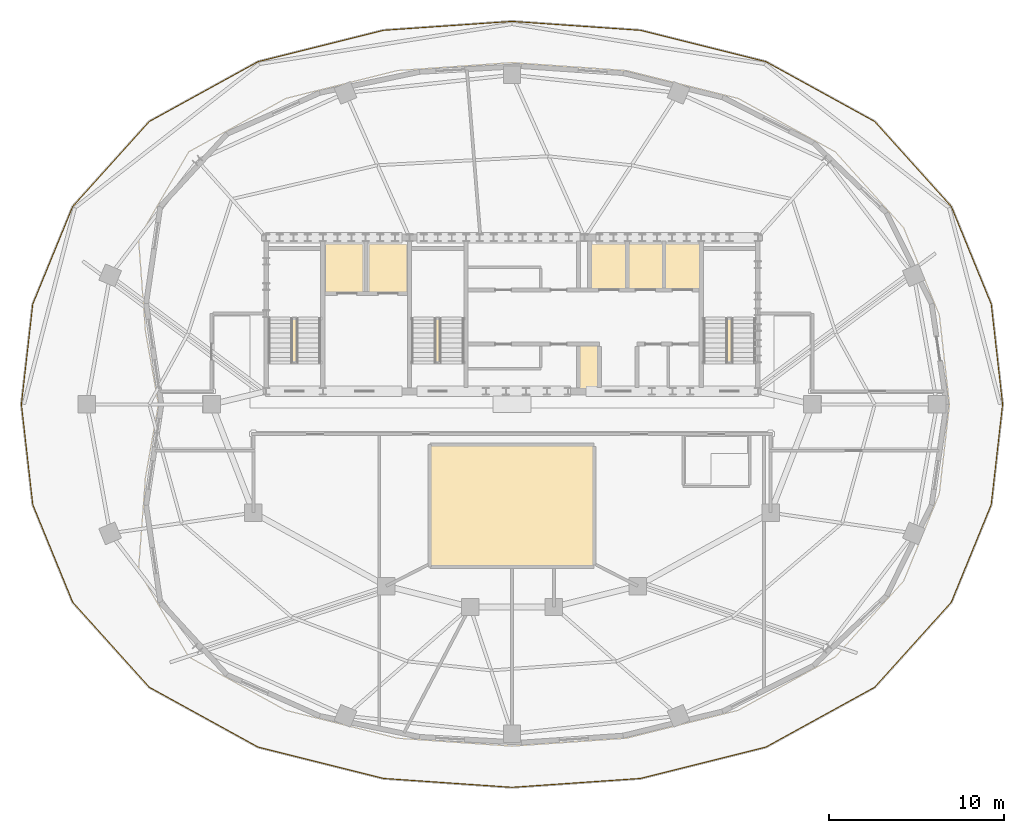
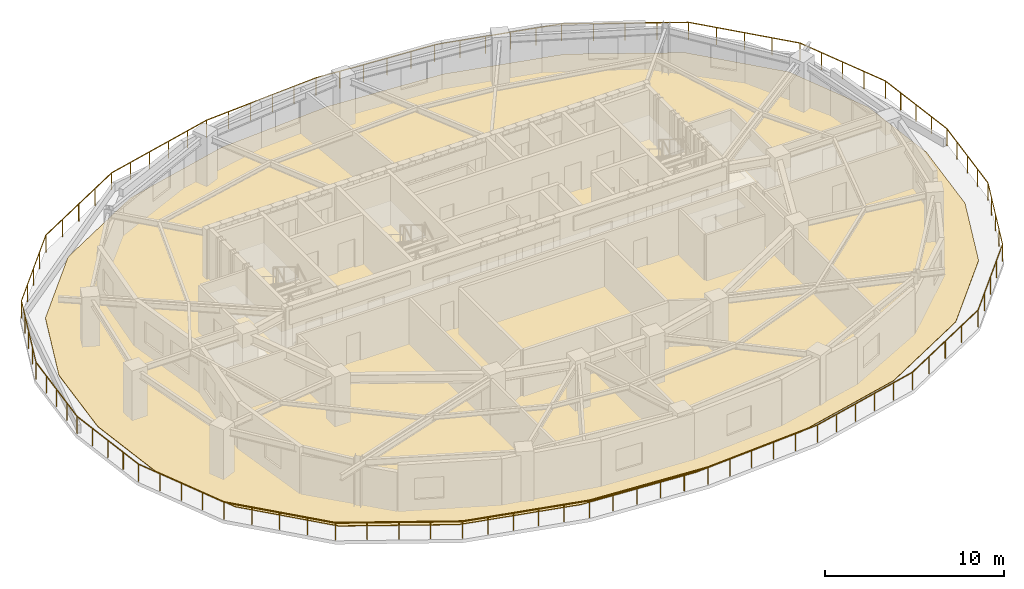
# One storey, part 8 of 10: 1 covering, 1 railing.
"""IFC4 building model written with IfcOpenShell, lengths in metres."""

from ifc_helpers import new_model, si_unit, direction, frame, origin, origin_2d, place, context, subcontext, project, spatial, polyline, rectangle, outline, extrude, material, layer, layer_set, type_object, element, save


model = new_model("IFC4")

# Units and contexts
model_context = context("Model", 3, precision=1e-05, world=origin(), true_north=direction((0.0, 1.0)))
body_context = subcontext(model_context, "Body", "Model", "MODEL_VIEW")
ifc_project = project(units=[si_unit("LENGTHUNIT", "METRE"), si_unit("AREAUNIT", "SQUARE_METRE"), si_unit("VOLUMEUNIT", "CUBIC_METRE"), si_unit("PLANEANGLEUNIT", "RADIAN"), si_unit("MASSUNIT", "GRAM", prefix="KILO")], contexts=[model_context])

# Site, building, storey
site_placement = place(None, origin())
site = spatial("IfcSite", under=ifc_project, at=site_placement, CompositionType="ELEMENT")
building_placement = place(site_placement, origin())
building = spatial("IfcBuilding", under=site, at=building_placement, Name="Haldorwick Loom Tower", CompositionType="ELEMENT")
storey_placement = place(building_placement, frame((0.0, 0.0, 240.89990234375)))
storey = spatial("IfcBuildingStorey", under=building, at=storey_placement, Name="L65", CompositionType="ELEMENT", Elevation=240.89990234375)

# Covering
ifc_material_1 = material(Name="SBS Modified Bitumen Inverted Roof Membrane")
ifc_layer = layer(ifc_material_1, 0.0400390625, Name="SBS Modified Bitumen Inverted Roof Membrane")
ifc_layer_set = layer_set([ifc_layer], Name="SBS Modified Bitumen Inverted Roof Membrane")
covering_type = type_object("IfcCoveringType", Name="ARC-COV-ROOFMEM", PredefinedType="ROOFING", material=ifc_layer_set)
covering_placement = place(storey_placement, origin())
element("IfcCovering", 1, at=covering_placement, inside=storey, type_object=covering_type, Name="L65 Terrace Inverted Roof Membrane 1", PredefinedType="ROOFING", context=body_context, shape_type="SweptSolid", body=[
    extrude(outline(polyline([(62.75732421875, 25.999755859375), (62.143798828125, 31.406005859375), (60.013671875, 36.61474609375), (55.93310546875, 41.144775390625), (50.045166015625, 44.384521484375), (43.154052734375, 46.105712890625), (36.00146484375, 46.6015625), (28.849365234375, 46.106201171875), (21.95947265625, 44.38623046875), (16.072021484375, 41.148681640625), (11.989501953125, 36.6201171875), (9.857421875, 31.4111328125), (9.242919921875, 26.002197265625), (9.856201171875, 20.59375), (11.986328125, 15.38525390625), (16.06689453125, 10.855224609375), (21.954833984375, 7.615478515625), (28.845947265625, 5.894287109375), (35.99853515625, 5.3984375), (43.150634765625, 5.893798828125), (50.04052734375, 7.61376953125), (55.927978515625, 10.851318359375), (60.010498046875, 15.3798828125), (62.142578125, 20.5888671875), (62.75732421875, 25.999755859375)])), origin(), (0.0, 0.0, 1.0), 0.0400390625),
])

# Railing
ifc_material_2 = material(Name="Galvanized Steel CSA G40.21 350W", Category="steel")
railing_type = type_object("IfcRailingType", Name="ARC-RLG-BAL120", PredefinedType="BALUSTRADE", material=ifc_material_2)
railing_placement = place(storey_placement, frame((7.914306640625, 26.0, 0.0)))
element("IfcRailing", 2, at=railing_placement, inside=storey, type_object=railing_type, Name="L65 Outdoor Terrace Guardrail SLB-L65-TERR-1-1", PredefinedType="BALUSTRADE", context=body_context, shape_type="SweptSolid", body=[
    extrude(rectangle(XDim=0.048095703125, YDim=0.048095703125, at=origin_2d()), frame((0.0, 0.0, 1.17578125), z_axis=(0.112764591509, 0.993621732302, 0.0), x_axis=(-0.993621732302, 0.112764591509, 0.0)), (0.0, 0.0, 1.0), 5.7763671875),
    extrude(rectangle(XDim=0.048095703125, YDim=0.048095703125, at=origin_2d()), frame((0.6513671875, 5.739501953125, 1.17578125), z_axis=(0.378598225333, 0.925561118336, 0.0), x_axis=(-0.925561118336, 0.378598225333, 0.0)), (0.0, 0.0, 1.0), 6.041015625),
    extrude(rectangle(XDim=0.048095703125, YDim=0.048095703125, at=origin_2d()), frame((2.9384765625, 11.330810546875, 1.17578125), z_axis=(0.669456778076, 0.742851009481, 0.0), x_axis=(-0.742851009481, 0.669456778076, 0.0)), (0.0, 0.0, 1.0), 6.5498046875),
    extrude(rectangle(XDim=0.048095703125, YDim=0.048095703125, at=origin_2d()), frame((7.3232421875, 16.1962890625, 1.17578125), z_axis=(0.876218082303, 0.481914797704, 0.0), x_axis=(-0.481914797704, 0.876218082303, 0.0)), (0.0, 0.0, 1.0), 7.1142578125),
    extrude(rectangle(XDim=0.048095703125, YDim=0.048095703125, at=origin_2d()), frame((13.556884765625, 19.624755859375, 1.17578125), z_axis=(0.970214367704, 0.242247973574, 0.0), x_axis=(-0.242247973574, 0.970214367704, 0.0)), (0.0, 0.0, 1.0), 7.389404296875),
    extrude(rectangle(XDim=0.048095703125, YDim=0.048095703125, at=origin_2d()), frame((20.72607421875, 21.414794921875, 1.17578125), z_axis=(0.997607480194, 0.069132593336, 0.0), x_axis=(-0.069132593336, 0.997607480194, 0.0)), (0.0, 0.0, 1.0), 7.377197265625),
    extrude(rectangle(XDim=0.048095703125, YDim=0.048095703125, at=origin_2d()), frame((28.085693359375, 21.9248046875, 1.17578125), z_axis=(0.997607480194, -0.069132593336, 0.0), x_axis=(0.069132593336, 0.997607480194, 0.0)), (0.0, 0.0, 1.0), 7.377197265625),
    extrude(rectangle(XDim=0.048095703125, YDim=0.048095703125, at=origin_2d()), frame((35.4453125, 21.414794921875, 1.17578125), z_axis=(0.970214367704, -0.242247973574, 0.0), x_axis=(0.242247973574, 0.970214367704, 0.0)), (0.0, 0.0, 1.0), 7.389404296875),
    extrude(rectangle(XDim=0.048095703125, YDim=0.048095703125, at=origin_2d()), frame((42.614501953125, 19.624755859375, 1.17578125), z_axis=(0.876218082303, -0.481914797704, 0.0), x_axis=(0.481914797704, 0.876218082303, 0.0)), (0.0, 0.0, 1.0), 7.1142578125),
    extrude(rectangle(XDim=0.048095703125, YDim=0.048095703125, at=origin_2d()), frame((48.84814453125, 16.1962890625, 1.17578125), z_axis=(0.669456778076, -0.742851009481, 0.0), x_axis=(0.742851009481, 0.669456778076, 0.0)), (0.0, 0.0, 1.0), 6.5498046875),
    extrude(rectangle(XDim=0.048095703125, YDim=0.048095703125, at=origin_2d()), frame((53.23291015625, 11.330810546875, 1.17578125), z_axis=(0.378598225333, -0.925561118336, 0.0), x_axis=(0.925561118336, 0.378598225333, 0.0)), (0.0, 0.0, 1.0), 6.041015625),
    extrude(rectangle(XDim=0.048095703125, YDim=0.048095703125, at=origin_2d()), frame((55.52001953125, 5.739501953125, 1.17578125), z_axis=(0.112764591509, -0.993621732302, 0.0), x_axis=(0.993621732302, 0.112764591509, 0.0)), (0.0, 0.0, 1.0), 5.7763671875),
    extrude(rectangle(XDim=0.048095703125, YDim=0.048095703125, at=origin_2d()), frame((56.17138671875, 0.0, 1.17578125), z_axis=(-0.112764591509, -0.993621732302, 0.0), x_axis=(0.993621732302, -0.112764591509, 0.0)), (0.0, 0.0, 1.0), 5.7763671875),
    extrude(rectangle(XDim=0.048095703125, YDim=0.048095703125, at=origin_2d()), frame((55.52001953125, -5.739501953125, 1.17578125), z_axis=(-0.378598225333, -0.925561118336, 0.0), x_axis=(0.925561118336, -0.378598225333, 0.0)), (0.0, 0.0, 1.0), 6.041015625),
    extrude(rectangle(XDim=0.048095703125, YDim=0.048095703125, at=origin_2d()), frame((53.23291015625, -11.330810546875, 1.17578125), z_axis=(-0.669456778076, -0.742851009481, 0.0), x_axis=(0.742851009481, -0.669456778076, 0.0)), (0.0, 0.0, 1.0), 6.5498046875),
    extrude(rectangle(XDim=0.048095703125, YDim=0.048095703125, at=origin_2d()), frame((48.84814453125, -16.1962890625, 1.17578125), z_axis=(-0.876218082303, -0.481914797704, 0.0), x_axis=(0.481914797704, -0.876218082303, 0.0)), (0.0, 0.0, 1.0), 7.1142578125),
    extrude(rectangle(XDim=0.048095703125, YDim=0.048095703125, at=origin_2d()), frame((42.614501953125, -19.624755859375, 1.17578125), z_axis=(-0.970214367704, -0.242247973574, 0.0), x_axis=(0.242247973574, -0.970214367704, 0.0)), (0.0, 0.0, 1.0), 7.389404296875),
    extrude(rectangle(XDim=0.048095703125, YDim=0.048095703125, at=origin_2d()), frame((35.4453125, -21.414794921875, 1.17578125), z_axis=(-0.997607480194, -0.069132593336, 0.0), x_axis=(0.069132593336, -0.997607480194, 0.0)), (0.0, 0.0, 1.0), 7.377197265625),
    extrude(rectangle(XDim=0.048095703125, YDim=0.048095703125, at=origin_2d()), frame((28.085693359375, -21.9248046875, 1.17578125), z_axis=(-0.997607480194, 0.069132593336, 0.0), x_axis=(-0.069132593336, -0.997607480194, 0.0)), (0.0, 0.0, 1.0), 7.377197265625),
    extrude(rectangle(XDim=0.048095703125, YDim=0.048095703125, at=origin_2d()), frame((20.72607421875, -21.414794921875, 1.17578125), z_axis=(-0.970214367704, 0.242247973574, 0.0), x_axis=(-0.242247973574, -0.970214367704, 0.0)), (0.0, 0.0, 1.0), 7.389404296875),
    extrude(rectangle(XDim=0.048095703125, YDim=0.048095703125, at=origin_2d()), frame((13.556884765625, -19.624755859375, 1.17578125), z_axis=(-0.876218082303, 0.481914797704, 0.0), x_axis=(-0.481914797704, -0.876218082303, 0.0)), (0.0, 0.0, 1.0), 7.1142578125),
    extrude(rectangle(XDim=0.048095703125, YDim=0.048095703125, at=origin_2d()), frame((7.3232421875, -16.1962890625, 1.17578125), z_axis=(-0.669456778076, 0.742851009481, 0.0), x_axis=(-0.742851009481, -0.669456778076, 0.0)), (0.0, 0.0, 1.0), 6.5498046875),
    extrude(rectangle(XDim=0.048095703125, YDim=0.048095703125, at=origin_2d()), frame((2.9384765625, -11.330810546875, 1.17578125), z_axis=(-0.378598225333, 0.925561118336, 0.0), x_axis=(-0.925561118336, -0.378598225333, 0.0)), (0.0, 0.0, 1.0), 6.041015625),
    extrude(rectangle(XDim=0.048095703125, YDim=0.048095703125, at=origin_2d()), frame((0.6513671875, -5.739501953125, 1.17578125), z_axis=(-0.112764591509, 0.993621732302, 0.0), x_axis=(-0.993621732302, -0.112764591509, 0.0)), (0.0, 0.0, 1.0), 5.7763671875),
    extrude(rectangle(XDim=0.0419921875, YDim=0.0419921875, at=origin_2d()), origin(), (0.0, 0.0, 1.0), 1.15185546875),
    extrude(rectangle(XDim=0.0419921875, YDim=0.0419921875, at=origin_2d()), frame((0.162841796875, 1.434814453125, 0.0)), (0.0, 0.0, 1.0), 1.15185546875),
    extrude(rectangle(XDim=0.0419921875, YDim=0.0419921875, at=origin_2d()), frame((0.32568359375, 2.86962890625, 0.0)), (0.0, 0.0, 1.0), 1.15185546875),
    extrude(rectangle(XDim=0.0419921875, YDim=0.0419921875, at=origin_2d()), frame((0.488525390625, 4.3046875, 0.0)), (0.0, 0.0, 1.0), 1.15185546875),
    extrude(rectangle(XDim=0.0419921875, YDim=0.0419921875, at=origin_2d()), frame((0.6513671875, 5.739501953125, 0.0)), (0.0, 0.0, 1.0), 1.15185546875),
    extrude(rectangle(XDim=0.0419921875, YDim=0.0419921875, at=origin_2d()), frame((1.22314453125, 7.13720703125, 0.0)), (0.0, 0.0, 1.0), 1.15185546875),
    extrude(rectangle(XDim=0.0419921875, YDim=0.0419921875, at=origin_2d()), frame((1.794921875, 8.53515625, 0.0)), (0.0, 0.0, 1.0), 1.15185546875),
    extrude(rectangle(XDim=0.0419921875, YDim=0.0419921875, at=origin_2d()), frame((2.36669921875, 9.93310546875, 0.0)), (0.0, 0.0, 1.0), 1.15185546875),
    extrude(rectangle(XDim=0.0419921875, YDim=0.0419921875, at=origin_2d()), frame((2.9384765625, 11.330810546875, 0.0)), (0.0, 0.0, 1.0), 1.15185546875),
    extrude(rectangle(XDim=0.0419921875, YDim=0.0419921875, at=origin_2d()), frame((4.03466796875, 12.547119140625, 0.0)), (0.0, 0.0, 1.0), 1.15185546875),
    extrude(rectangle(XDim=0.0419921875, YDim=0.0419921875, at=origin_2d()), frame((5.130859375, 13.763671875, 0.0)), (0.0, 0.0, 1.0), 1.15185546875),
    extrude(rectangle(XDim=0.0419921875, YDim=0.0419921875, at=origin_2d()), frame((6.22705078125, 14.97998046875, 0.0)), (0.0, 0.0, 1.0), 1.15185546875),
    extrude(rectangle(XDim=0.0419921875, YDim=0.0419921875, at=origin_2d()), frame((7.3232421875, 16.1962890625, 0.0)), (0.0, 0.0, 1.0), 1.15185546875),
    extrude(rectangle(XDim=0.0419921875, YDim=0.0419921875, at=origin_2d()), frame((8.881591796875, 17.053466796875, 0.0)), (0.0, 0.0, 1.0), 1.15185546875),
    extrude(rectangle(XDim=0.0419921875, YDim=0.0419921875, at=origin_2d()), frame((10.43994140625, 17.91064453125, 0.0)), (0.0, 0.0, 1.0), 1.15185546875),
    extrude(rectangle(XDim=0.0419921875, YDim=0.0419921875, at=origin_2d()), frame((11.99853515625, 18.767578125, 0.0)), (0.0, 0.0, 1.0), 1.15185546875),
    extrude(rectangle(XDim=0.0419921875, YDim=0.0419921875, at=origin_2d()), frame((13.556884765625, 19.624755859375, 0.0)), (0.0, 0.0, 1.0), 1.15185546875),
    extrude(rectangle(XDim=0.0419921875, YDim=0.0419921875, at=origin_2d()), frame((14.99072265625, 19.982666015625, 0.0)), (0.0, 0.0, 1.0), 1.15185546875),
    extrude(rectangle(XDim=0.0419921875, YDim=0.0419921875, at=origin_2d()), frame((16.424560546875, 20.3408203125, 0.0)), (0.0, 0.0, 1.0), 1.15185546875),
    extrude(rectangle(XDim=0.0419921875, YDim=0.0419921875, at=origin_2d()), frame((17.8583984375, 20.69873046875, 0.0)), (0.0, 0.0, 1.0), 1.15185546875),
    extrude(rectangle(XDim=0.0419921875, YDim=0.0419921875, at=origin_2d()), frame((19.292236328125, 21.056884765625, 0.0)), (0.0, 0.0, 1.0), 1.15185546875),
    extrude(rectangle(XDim=0.0419921875, YDim=0.0419921875, at=origin_2d()), frame((20.72607421875, 21.414794921875, 0.0)), (0.0, 0.0, 1.0), 1.15185546875),
    extrude(rectangle(XDim=0.0419921875, YDim=0.0419921875, at=origin_2d()), frame((22.197998046875, 21.516845703125, 0.0)), (0.0, 0.0, 1.0), 1.15185546875),
    extrude(rectangle(XDim=0.0419921875, YDim=0.0419921875, at=origin_2d()), frame((23.669921875, 21.618896484375, 0.0)), (0.0, 0.0, 1.0), 1.15185546875),
    extrude(rectangle(XDim=0.0419921875, YDim=0.0419921875, at=origin_2d()), frame((25.141845703125, 21.720703125, 0.0)), (0.0, 0.0, 1.0), 1.15185546875),
    extrude(rectangle(XDim=0.0419921875, YDim=0.0419921875, at=origin_2d()), frame((26.61376953125, 21.82275390625, 0.0)), (0.0, 0.0, 1.0), 1.15185546875),
    extrude(rectangle(XDim=0.0419921875, YDim=0.0419921875, at=origin_2d()), frame((28.085693359375, 21.9248046875, 0.0)), (0.0, 0.0, 1.0), 1.15185546875),
    extrude(rectangle(XDim=0.0419921875, YDim=0.0419921875, at=origin_2d()), frame((29.5576171875, 21.82275390625, 0.0)), (0.0, 0.0, 1.0), 1.15185546875),
    extrude(rectangle(XDim=0.0419921875, YDim=0.0419921875, at=origin_2d()), frame((31.029541015625, 21.720703125, 0.0)), (0.0, 0.0, 1.0), 1.15185546875),
    extrude(rectangle(XDim=0.0419921875, YDim=0.0419921875, at=origin_2d()), frame((32.50146484375, 21.618896484375, 0.0)), (0.0, 0.0, 1.0), 1.15185546875),
    extrude(rectangle(XDim=0.0419921875, YDim=0.0419921875, at=origin_2d()), frame((33.973388671875, 21.516845703125, 0.0)), (0.0, 0.0, 1.0), 1.15185546875),
    extrude(rectangle(XDim=0.0419921875, YDim=0.0419921875, at=origin_2d()), frame((35.4453125, 21.414794921875, 0.0)), (0.0, 0.0, 1.0), 1.15185546875),
    extrude(rectangle(XDim=0.0419921875, YDim=0.0419921875, at=origin_2d()), frame((36.879150390625, 21.056884765625, 0.0)), (0.0, 0.0, 1.0), 1.15185546875),
    extrude(rectangle(XDim=0.0419921875, YDim=0.0419921875, at=origin_2d()), frame((38.31298828125, 20.69873046875, 0.0)), (0.0, 0.0, 1.0), 1.15185546875),
    extrude(rectangle(XDim=0.0419921875, YDim=0.0419921875, at=origin_2d()), frame((39.746826171875, 20.3408203125, 0.0)), (0.0, 0.0, 1.0), 1.15185546875),
    extrude(rectangle(XDim=0.0419921875, YDim=0.0419921875, at=origin_2d()), frame((41.1806640625, 19.982666015625, 0.0)), (0.0, 0.0, 1.0), 1.15185546875),
    extrude(rectangle(XDim=0.0419921875, YDim=0.0419921875, at=origin_2d()), frame((42.614501953125, 19.624755859375, 0.0)), (0.0, 0.0, 1.0), 1.15185546875),
    extrude(rectangle(XDim=0.0419921875, YDim=0.0419921875, at=origin_2d()), frame((44.1728515625, 18.767578125, 0.0)), (0.0, 0.0, 1.0), 1.15185546875),
    extrude(rectangle(XDim=0.0419921875, YDim=0.0419921875, at=origin_2d()), frame((45.7314453125, 17.91064453125, 0.0)), (0.0, 0.0, 1.0), 1.15185546875),
    extrude(rectangle(XDim=0.0419921875, YDim=0.0419921875, at=origin_2d()), frame((47.289794921875, 17.053466796875, 0.0)), (0.0, 0.0, 1.0), 1.15185546875),
    extrude(rectangle(XDim=0.0419921875, YDim=0.0419921875, at=origin_2d()), frame((48.84814453125, 16.1962890625, 0.0)), (0.0, 0.0, 1.0), 1.15185546875),
    extrude(rectangle(XDim=0.0419921875, YDim=0.0419921875, at=origin_2d()), frame((49.9443359375, 14.97998046875, 0.0)), (0.0, 0.0, 1.0), 1.15185546875),
    extrude(rectangle(XDim=0.0419921875, YDim=0.0419921875, at=origin_2d()), frame((51.04052734375, 13.763671875, 0.0)), (0.0, 0.0, 1.0), 1.15185546875),
    extrude(rectangle(XDim=0.0419921875, YDim=0.0419921875, at=origin_2d()), frame((52.13671875, 12.547119140625, 0.0)), (0.0, 0.0, 1.0), 1.15185546875),
    extrude(rectangle(XDim=0.0419921875, YDim=0.0419921875, at=origin_2d()), frame((53.23291015625, 11.330810546875, 0.0)), (0.0, 0.0, 1.0), 1.15185546875),
    extrude(rectangle(XDim=0.0419921875, YDim=0.0419921875, at=origin_2d()), frame((53.8046875, 9.93310546875, 0.0)), (0.0, 0.0, 1.0), 1.15185546875),
    extrude(rectangle(XDim=0.0419921875, YDim=0.0419921875, at=origin_2d()), frame((54.37646484375, 8.53515625, 0.0)), (0.0, 0.0, 1.0), 1.15185546875),
    extrude(rectangle(XDim=0.0419921875, YDim=0.0419921875, at=origin_2d()), frame((54.9482421875, 7.13720703125, 0.0)), (0.0, 0.0, 1.0), 1.15185546875),
    extrude(rectangle(XDim=0.0419921875, YDim=0.0419921875, at=origin_2d()), frame((55.52001953125, 5.739501953125, 0.0)), (0.0, 0.0, 1.0), 1.15185546875),
    extrude(rectangle(XDim=0.0419921875, YDim=0.0419921875, at=origin_2d()), frame((55.682861328125, 4.3046875, 0.0)), (0.0, 0.0, 1.0), 1.15185546875),
    extrude(rectangle(XDim=0.0419921875, YDim=0.0419921875, at=origin_2d()), frame((55.845703125, 2.86962890625, 0.0)), (0.0, 0.0, 1.0), 1.15185546875),
    extrude(rectangle(XDim=0.0419921875, YDim=0.0419921875, at=origin_2d()), frame((56.008544921875, 1.434814453125, 0.0)), (0.0, 0.0, 1.0), 1.15185546875),
    extrude(rectangle(XDim=0.0419921875, YDim=0.0419921875, at=origin_2d()), frame((56.17138671875, 0.0, 0.0)), (0.0, 0.0, 1.0), 1.15185546875),
    extrude(rectangle(XDim=0.0419921875, YDim=0.0419921875, at=origin_2d()), frame((56.008544921875, -1.434814453125, 0.0)), (0.0, 0.0, 1.0), 1.15185546875),
    extrude(rectangle(XDim=0.0419921875, YDim=0.0419921875, at=origin_2d()), frame((55.845703125, -2.86962890625, 0.0)), (0.0, 0.0, 1.0), 1.15185546875),
    extrude(rectangle(XDim=0.0419921875, YDim=0.0419921875, at=origin_2d()), frame((55.682861328125, -4.3046875, 0.0)), (0.0, 0.0, 1.0), 1.15185546875),
    extrude(rectangle(XDim=0.0419921875, YDim=0.0419921875, at=origin_2d()), frame((55.52001953125, -5.739501953125, 0.0)), (0.0, 0.0, 1.0), 1.15185546875),
    extrude(rectangle(XDim=0.0419921875, YDim=0.0419921875, at=origin_2d()), frame((54.9482421875, -7.13720703125, 0.0)), (0.0, 0.0, 1.0), 1.15185546875),
    extrude(rectangle(XDim=0.0419921875, YDim=0.0419921875, at=origin_2d()), frame((54.37646484375, -8.53515625, 0.0)), (0.0, 0.0, 1.0), 1.15185546875),
    extrude(rectangle(XDim=0.0419921875, YDim=0.0419921875, at=origin_2d()), frame((53.8046875, -9.93310546875, 0.0)), (0.0, 0.0, 1.0), 1.15185546875),
    extrude(rectangle(XDim=0.0419921875, YDim=0.0419921875, at=origin_2d()), frame((53.23291015625, -11.330810546875, 0.0)), (0.0, 0.0, 1.0), 1.15185546875),
    extrude(rectangle(XDim=0.0419921875, YDim=0.0419921875, at=origin_2d()), frame((52.13671875, -12.547119140625, 0.0)), (0.0, 0.0, 1.0), 1.15185546875),
    extrude(rectangle(XDim=0.0419921875, YDim=0.0419921875, at=origin_2d()), frame((51.04052734375, -13.763671875, 0.0)), (0.0, 0.0, 1.0), 1.15185546875),
    extrude(rectangle(XDim=0.0419921875, YDim=0.0419921875, at=origin_2d()), frame((49.9443359375, -14.97998046875, 0.0)), (0.0, 0.0, 1.0), 1.15185546875),
    extrude(rectangle(XDim=0.0419921875, YDim=0.0419921875, at=origin_2d()), frame((48.84814453125, -16.1962890625, 0.0)), (0.0, 0.0, 1.0), 1.15185546875),
    extrude(rectangle(XDim=0.0419921875, YDim=0.0419921875, at=origin_2d()), frame((47.289794921875, -17.053466796875, 0.0)), (0.0, 0.0, 1.0), 1.15185546875),
    extrude(rectangle(XDim=0.0419921875, YDim=0.0419921875, at=origin_2d()), frame((45.7314453125, -17.91064453125, 0.0)), (0.0, 0.0, 1.0), 1.15185546875),
    extrude(rectangle(XDim=0.0419921875, YDim=0.0419921875, at=origin_2d()), frame((44.1728515625, -18.767578125, 0.0)), (0.0, 0.0, 1.0), 1.15185546875),
    extrude(rectangle(XDim=0.0419921875, YDim=0.0419921875, at=origin_2d()), frame((42.614501953125, -19.624755859375, 0.0)), (0.0, 0.0, 1.0), 1.15185546875),
    extrude(rectangle(XDim=0.0419921875, YDim=0.0419921875, at=origin_2d()), frame((41.1806640625, -19.982666015625, 0.0)), (0.0, 0.0, 1.0), 1.15185546875),
    extrude(rectangle(XDim=0.0419921875, YDim=0.0419921875, at=origin_2d()), frame((39.746826171875, -20.3408203125, 0.0)), (0.0, 0.0, 1.0), 1.15185546875),
    extrude(rectangle(XDim=0.0419921875, YDim=0.0419921875, at=origin_2d()), frame((38.31298828125, -20.69873046875, 0.0)), (0.0, 0.0, 1.0), 1.15185546875),
    extrude(rectangle(XDim=0.0419921875, YDim=0.0419921875, at=origin_2d()), frame((36.879150390625, -21.056884765625, 0.0)), (0.0, 0.0, 1.0), 1.15185546875),
    extrude(rectangle(XDim=0.0419921875, YDim=0.0419921875, at=origin_2d()), frame((35.4453125, -21.414794921875, 0.0)), (0.0, 0.0, 1.0), 1.15185546875),
    extrude(rectangle(XDim=0.0419921875, YDim=0.0419921875, at=origin_2d()), frame((33.973388671875, -21.516845703125, 0.0)), (0.0, 0.0, 1.0), 1.15185546875),
    extrude(rectangle(XDim=0.0419921875, YDim=0.0419921875, at=origin_2d()), frame((32.50146484375, -21.618896484375, 0.0)), (0.0, 0.0, 1.0), 1.15185546875),
    extrude(rectangle(XDim=0.0419921875, YDim=0.0419921875, at=origin_2d()), frame((31.029541015625, -21.720703125, 0.0)), (0.0, 0.0, 1.0), 1.15185546875),
    extrude(rectangle(XDim=0.0419921875, YDim=0.0419921875, at=origin_2d()), frame((29.5576171875, -21.82275390625, 0.0)), (0.0, 0.0, 1.0), 1.15185546875),
    extrude(rectangle(XDim=0.0419921875, YDim=0.0419921875, at=origin_2d()), frame((28.085693359375, -21.9248046875, 0.0)), (0.0, 0.0, 1.0), 1.15185546875),
    extrude(rectangle(XDim=0.0419921875, YDim=0.0419921875, at=origin_2d()), frame((26.61376953125, -21.82275390625, 0.0)), (0.0, 0.0, 1.0), 1.15185546875),
    extrude(rectangle(XDim=0.0419921875, YDim=0.0419921875, at=origin_2d()), frame((25.141845703125, -21.720703125, 0.0)), (0.0, 0.0, 1.0), 1.15185546875),
    extrude(rectangle(XDim=0.0419921875, YDim=0.0419921875, at=origin_2d()), frame((23.669921875, -21.618896484375, 0.0)), (0.0, 0.0, 1.0), 1.15185546875),
    extrude(rectangle(XDim=0.0419921875, YDim=0.0419921875, at=origin_2d()), frame((22.197998046875, -21.516845703125, 0.0)), (0.0, 0.0, 1.0), 1.15185546875),
    extrude(rectangle(XDim=0.0419921875, YDim=0.0419921875, at=origin_2d()), frame((20.72607421875, -21.414794921875, 0.0)), (0.0, 0.0, 1.0), 1.15185546875),
    extrude(rectangle(XDim=0.0419921875, YDim=0.0419921875, at=origin_2d()), frame((19.292236328125, -21.056884765625, 0.0)), (0.0, 0.0, 1.0), 1.15185546875),
    extrude(rectangle(XDim=0.0419921875, YDim=0.0419921875, at=origin_2d()), frame((17.8583984375, -20.69873046875, 0.0)), (0.0, 0.0, 1.0), 1.15185546875),
    extrude(rectangle(XDim=0.0419921875, YDim=0.0419921875, at=origin_2d()), frame((16.424560546875, -20.3408203125, 0.0)), (0.0, 0.0, 1.0), 1.15185546875),
    extrude(rectangle(XDim=0.0419921875, YDim=0.0419921875, at=origin_2d()), frame((14.99072265625, -19.982666015625, 0.0)), (0.0, 0.0, 1.0), 1.15185546875),
    extrude(rectangle(XDim=0.0419921875, YDim=0.0419921875, at=origin_2d()), frame((13.556884765625, -19.624755859375, 0.0)), (0.0, 0.0, 1.0), 1.15185546875),
    extrude(rectangle(XDim=0.0419921875, YDim=0.0419921875, at=origin_2d()), frame((11.99853515625, -18.767578125, 0.0)), (0.0, 0.0, 1.0), 1.15185546875),
    extrude(rectangle(XDim=0.0419921875, YDim=0.0419921875, at=origin_2d()), frame((10.43994140625, -17.91064453125, 0.0)), (0.0, 0.0, 1.0), 1.15185546875),
    extrude(rectangle(XDim=0.0419921875, YDim=0.0419921875, at=origin_2d()), frame((8.881591796875, -17.053466796875, 0.0)), (0.0, 0.0, 1.0), 1.15185546875),
    extrude(rectangle(XDim=0.0419921875, YDim=0.0419921875, at=origin_2d()), frame((7.3232421875, -16.1962890625, 0.0)), (0.0, 0.0, 1.0), 1.15185546875),
    extrude(rectangle(XDim=0.0419921875, YDim=0.0419921875, at=origin_2d()), frame((6.22705078125, -14.97998046875, 0.0)), (0.0, 0.0, 1.0), 1.15185546875),
    extrude(rectangle(XDim=0.0419921875, YDim=0.0419921875, at=origin_2d()), frame((5.130859375, -13.763671875, 0.0)), (0.0, 0.0, 1.0), 1.15185546875),
    extrude(rectangle(XDim=0.0419921875, YDim=0.0419921875, at=origin_2d()), frame((4.03466796875, -12.547119140625, 0.0)), (0.0, 0.0, 1.0), 1.15185546875),
    extrude(rectangle(XDim=0.0419921875, YDim=0.0419921875, at=origin_2d()), frame((2.9384765625, -11.330810546875, 0.0)), (0.0, 0.0, 1.0), 1.15185546875),
    extrude(rectangle(XDim=0.0419921875, YDim=0.0419921875, at=origin_2d()), frame((2.36669921875, -9.93310546875, 0.0)), (0.0, 0.0, 1.0), 1.15185546875),
    extrude(rectangle(XDim=0.0419921875, YDim=0.0419921875, at=origin_2d()), frame((1.794921875, -8.53515625, 0.0)), (0.0, 0.0, 1.0), 1.15185546875),
    extrude(rectangle(XDim=0.0419921875, YDim=0.0419921875, at=origin_2d()), frame((1.22314453125, -7.13720703125, 0.0)), (0.0, 0.0, 1.0), 1.15185546875),
    extrude(rectangle(XDim=0.0419921875, YDim=0.0419921875, at=origin_2d()), frame((0.6513671875, -5.739501953125, 0.0)), (0.0, 0.0, 1.0), 1.15185546875),
    extrude(rectangle(XDim=0.0419921875, YDim=0.0419921875, at=origin_2d()), frame((0.488525390625, -4.3046875, 0.0)), (0.0, 0.0, 1.0), 1.15185546875),
    extrude(rectangle(XDim=0.0419921875, YDim=0.0419921875, at=origin_2d()), frame((0.32568359375, -2.86962890625, 0.0)), (0.0, 0.0, 1.0), 1.15185546875),
    extrude(rectangle(XDim=0.0419921875, YDim=0.0419921875, at=origin_2d()), frame((0.162841796875, -1.434814453125, 0.0)), (0.0, 0.0, 1.0), 1.15185546875),
])

save(model, "model.ifc")
